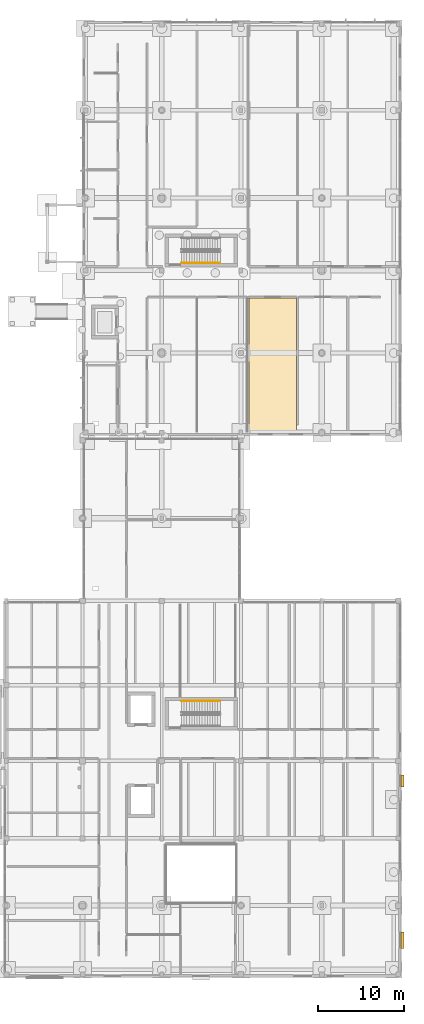
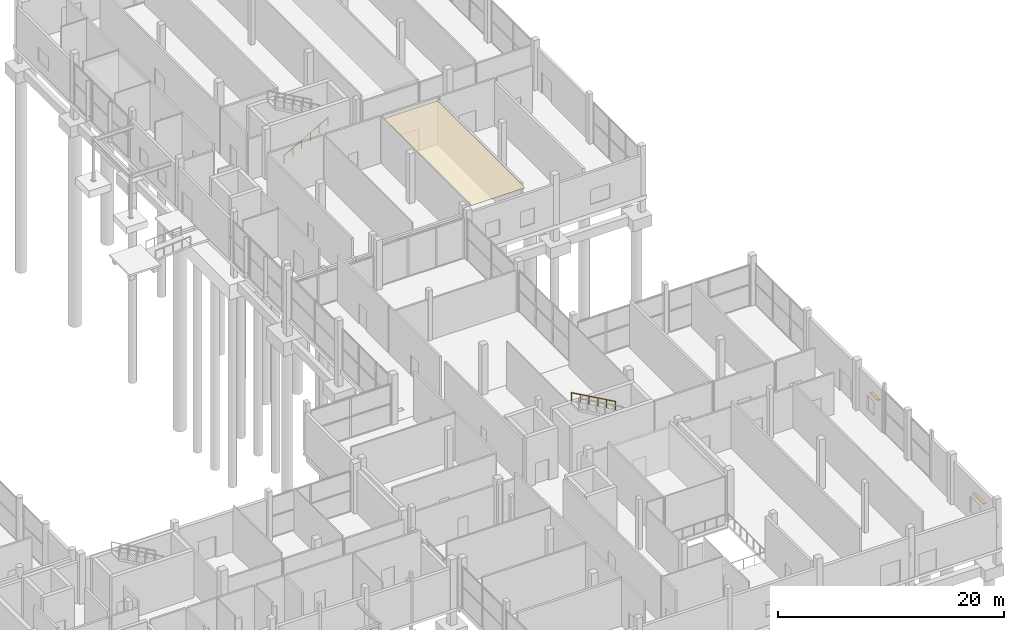
# One storey, part 86 of 88: 2 railings, 2 shading devices, 1 covering.
"""IFC4 building model written with IfcOpenShell, lengths in metres."""

import ifcopenshell
import ifcopenshell.guid

model = None  # the IFC model being written
_history = None  # IfcOwnerHistory: only IFC2X3 demands one
_inside = {}  # id of a spatial element -> (the spatial element, [elements in it])
_under = {}  # id of a project, library or spatial element -> (it, [spatial elements below it])
_declared = {}  # id of a project -> (the project, [libraries it declares])
_typed = {}  # id of a type object -> (the type object, [elements of that type])
_made_of = {}  # id of a material, layer set ... -> (it, [elements and type objects made of it])


def new_model(schema):
    """Start an empty IFC model of exactly this schema.

    Asked for "IFC4X3", IfcOpenShell would pick the latest addendum, in which some entities
    have other attributes; the version numbers below select the first issue.
    IFC2X3 requires an IfcOwnerHistory on every rooted entity: one is made here for all.
    """
    global model, _history
    if schema == "IFC4X3":
        model = ifcopenshell.file(schema_version=(4, 3, 0, 0))
    else:
        model = ifcopenshell.file(schema=schema)
    _inside.clear()
    _under.clear()
    _declared.clear()
    _typed.clear()
    _made_of.clear()
    _history = None
    if model.schema == "IFC2X3":
        org = make("IfcOrganization", Name="unknown")
        user = make(
            "IfcPersonAndOrganization",
            ThePerson=make("IfcPerson", FamilyName="unknown"),
            TheOrganization=org,
        )
        app = make(
            "IfcApplication",
            ApplicationDeveloper=org,
            Version="unknown",
            ApplicationFullName="unknown",
            ApplicationIdentifier="unknown",
        )
        _history = make(
            "IfcOwnerHistory",
            OwningUser=user,
            OwningApplication=app,
            ChangeAction="ADDED",
            CreationDate=0,
        )
    return model


def make(cls, **values):
    """One entity of the class cls with the attributes given. An attribute that is None is left unset."""
    return model.create_entity(
        cls, **{name: value for name, value in values.items() if value is not None}
    )


def rooted(cls, **values):
    """An entity with a GlobalId (a new one), such as an element, a storey or a relation."""
    return make(cls, GlobalId=ifcopenshell.guid.new(), OwnerHistory=_history, **values)


def si_unit(unit_type, name, prefix=None):
    """IfcSIUnit, for example si_unit("LENGTHUNIT", "METRE", prefix="MILLI")."""
    return make("IfcSIUnit", UnitType=unit_type, Prefix=prefix, Name=name)


def assignment(units):
    """IfcUnitAssignment: the units of a project."""
    return None if units is None else make("IfcUnitAssignment", Units=units)


def point(xyz):
    """IfcCartesianPoint."""
    return None if xyz is None else make("IfcCartesianPoint", Coordinates=xyz)


def direction(xyz):
    """IfcDirection."""
    return None if xyz is None else make("IfcDirection", DirectionRatios=xyz)


def frame(location, z_axis=None, x_axis=None):
    """IfcAxis2Placement3D, a coordinate frame: its origin and axes. An axis left out is left unset."""
    return make(
        "IfcAxis2Placement3D",
        Location=point(location),
        Axis=direction(z_axis),
        RefDirection=direction(x_axis),
    )


def frame_2d(location, x_axis=None):
    """IfcAxis2Placement2D, a coordinate frame in the plane: its origin and x axis."""
    return make(
        "IfcAxis2Placement2D", Location=point(location), RefDirection=direction(x_axis)
    )


def origin():
    """The frame at (0, 0, 0) with its axes left unset."""
    return frame((0.0, 0.0, 0.0))


def origin_2d():
    """The frame at (0, 0) in the plane with its x axis left unset."""
    return frame_2d((0.0, 0.0))


def place(relative_to, where):
    """IfcLocalPlacement: puts the frame where relative to a parent placement (None: the world)."""
    return make(
        "IfcLocalPlacement", PlacementRelTo=relative_to, RelativePlacement=where
    )


def context(
    kind, dimensions, precision=None, world=None, true_north=None, identifier=None
):
    """IfcGeometricRepresentationContext, for example the 3D "Model" context."""
    return make(
        "IfcGeometricRepresentationContext",
        ContextIdentifier=identifier,
        ContextType=kind,
        CoordinateSpaceDimension=dimensions,
        Precision=precision,
        WorldCoordinateSystem=world,
        TrueNorth=true_north,
    )


def subcontext(parent, identifier, kind, view, scale=None):
    """IfcGeometricRepresentationSubContext, for example "Body" below "Model"."""
    return make(
        "IfcGeometricRepresentationSubContext",
        ContextIdentifier=identifier,
        ContextType=kind,
        ParentContext=parent,
        TargetScale=scale,
        TargetView=view,
    )


def project(units=None, contexts=None):
    """IfcProject with its units and contexts."""
    return rooted(
        "IfcProject",
        Name="project",
        RepresentationContexts=contexts,
        UnitsInContext=assignment(units),
    )


def spatial(cls, under=None, at=None, **own):
    """A site, building, storey or space (cls), placed at a placement, below another one or the project."""
    s = rooted(cls, ObjectPlacement=at, **own)
    if under is not None:
        _under.setdefault(under.id(), (under, []))[1].append(s)
    return s


def polyline(points):
    """IfcPolyline through the points."""
    return make("IfcPolyline", Points=[point(p) for p in points])


def profile(cls, at=None, kind="AREA", **sizes):
    """A parametric profile (cls). Its sizes go by their IFC names, for example OverallWidth=200.0."""
    return make(cls, ProfileType=kind, Position=at, **sizes)


def rectangle(**sizes):
    """IfcRectangleProfileDef."""
    return profile("IfcRectangleProfileDef", **sizes)


def circle(**sizes):
    """IfcCircleProfileDef."""
    return profile("IfcCircleProfileDef", **sizes)


def outline(outer, holes=None, kind="AREA"):
    """IfcArbitraryClosedProfileDef: a profile drawn as a closed curve; with holes, ...WithVoids."""
    if holes is None:
        return make("IfcArbitraryClosedProfileDef", ProfileType=kind, OuterCurve=outer)
    return make(
        "IfcArbitraryProfileDefWithVoids",
        ProfileType=kind,
        OuterCurve=outer,
        InnerCurves=holes,
    )


def extrude(swept, where, along, depth):
    """IfcExtrudedAreaSolid: the profile swept, set in the frame where, extruded along a direction by depth."""
    return make(
        "IfcExtrudedAreaSolid",
        SweptArea=swept,
        Position=where,
        ExtrudedDirection=direction(along),
        Depth=depth,
    )


def shape(context_of_items, identifier, shape_type, items):
    """IfcShapeRepresentation: the items that make up one representation, for example the "Body"."""
    return make(
        "IfcShapeRepresentation",
        ContextOfItems=context_of_items,
        RepresentationIdentifier=identifier,
        RepresentationType=shape_type,
        Items=items,
    )


def material(Name=None, Category=None):
    """IfcMaterial."""
    return make("IfcMaterial", Name=Name, Category=Category)


def layer(
    of_material, thickness, ventilated=None, Name=None, Category=None, Priority=None
):
    """IfcMaterialLayer: one layer of a wall or slab, of a material (None: an air gap)."""
    return make(
        "IfcMaterialLayer",
        Material=of_material,
        LayerThickness=thickness,
        IsVentilated=ventilated,
        Name=Name,
        Category=Category,
        Priority=Priority,
    )


def layer_set(layers, Name=None):
    """IfcMaterialLayerSet."""
    return make("IfcMaterialLayerSet", MaterialLayers=layers, LayerSetName=Name)


def made_of(thing, what):
    """Note that an element or type object is made of a material, layer set ...; save() writes the relation."""
    if what is not None:
        _made_of.setdefault(what.id(), (what, []))[1].append(thing)
    return thing


def type_object(cls, material=None, **own):
    """A type object (cls), such as IfcWallType, which elements share."""
    return made_of(rooted(cls, **own), material)


def element(
    cls,
    number,
    at=None,
    inside=None,
    cuts=None,
    type_object=None,
    material=None,
    context=None,
    identifier="Body",
    shape_type=None,
    held_by="IfcProductDefinitionShape",
    body=None,
    shapes=None,
    **own,
):
    """One element of the class cls, such as IfcWall. Its Tag is "e" and its number.

    at: its placement. inside: the storey or other place that contains it. cuts: it is an
    opening in that element (IfcRelVoidsElement). A single representation is given by context,
    identifier, shape_type and body (its items); several are given by shapes. held_by: the class
    of the entity that holds the representations. save() writes the other relations.
    """
    e = rooted(cls, Tag="e%d" % number, ObjectPlacement=at, **own)
    if body is not None:
        shapes = [shape(context, identifier, shape_type, body)]
    if shapes is not None:
        e.Representation = make(held_by, Representations=shapes)
    if inside is not None:
        _inside.setdefault(inside.id(), (inside, []))[1].append(e)
    if cuts is not None:
        rooted(
            "IfcRelVoidsElement", RelatingBuildingElement=cuts, RelatedOpeningElement=e
        )
    if type_object is not None:
        _typed.setdefault(type_object.id(), (type_object, []))[1].append(e)
    return made_of(e, material)


def aggregate(whole, parts):
    """IfcRelAggregates: a whole, such as a stair, and the parts it consists of."""
    return rooted("IfcRelAggregates", RelatingObject=whole, RelatedObjects=parts)


def save(model, path):
    """Write the relations noted so far, then the file.

    IfcRelAggregates (storeys below a building ...), IfcRelContainedInSpatialStructure (elements
    in a storey), IfcRelDefinesByType, IfcRelAssociatesMaterial and IfcRelDeclares: one each for
    every whole, place, type object, material and project.
    """
    for whole, parts in _under.values():
        aggregate(whole, parts)
    for where, things in _inside.values():
        rooted(
            "IfcRelContainedInSpatialStructure",
            RelatedElements=things,
            RelatingStructure=where,
        )
    for kind, things in _typed.values():
        rooted("IfcRelDefinesByType", RelatedObjects=things, RelatingType=kind)
    for what, things in _made_of.values():
        rooted("IfcRelAssociatesMaterial", RelatedObjects=things, RelatingMaterial=what)
    for by, libraries in _declared.values():
        rooted("IfcRelDeclares", RelatingContext=by, RelatedDefinitions=libraries)
    model.write(path)


model = new_model("IFC4")

# Units and contexts
model_context = context("Model", 3, precision=1e-05, world=origin(), true_north=direction((0.0, 1.0)))
body_context = subcontext(model_context, "Body", "Model", "MODEL_VIEW")
ifc_project = project(units=[si_unit("LENGTHUNIT", "METRE"), si_unit("AREAUNIT", "SQUARE_METRE"), si_unit("VOLUMEUNIT", "CUBIC_METRE"), si_unit("PLANEANGLEUNIT", "RADIAN"), si_unit("MASSUNIT", "GRAM", prefix="KILO")], contexts=[model_context])

# Site, building, storey
site_placement = place(None, origin())
site = spatial("IfcSite", under=ifc_project, at=site_placement, CompositionType="ELEMENT")
building_placement = place(site_placement, origin())
building = spatial("IfcBuilding", under=site, at=building_placement, Name="Birchvale Park Specialist Clinic", CompositionType="ELEMENT")
storey_placement = place(building_placement, origin())
storey = spatial("IfcBuildingStorey", under=building, at=storey_placement, Name="L00", CompositionType="ELEMENT", Elevation=0.0)

# Covering
ifc_material_1 = material(Name="Acoustic mineral-fibre wood-wool ceiling", Category="wood")
ifc_layer = layer(ifc_material_1, 0.034912109375)
ifc_layer_set = layer_set([ifc_layer], Name="Acoustic mineral-fibre wood-wool ceiling")
covering_type = type_object("IfcCoveringType", Name="COV-CE1", PredefinedType="CEILING", material=ifc_layer_set)
covering_placement = place(storey_placement, frame((0.0, 0.0, 4.715087890625)))
element("IfcCovering", 1, at=covering_placement, inside=storey, type_object=covering_type, Name="V6 L00 acoustic clinical ceiling 2", PredefinedType="CEILING", context=body_context, shape_type="SweptSolid", body=[
    extrude(outline(polyline([(147.3359375, 64.080078125), (152.85400390625, 64.080078125), (152.85400390625, 79.580078125), (147.3359375, 79.580078125), (147.3359375, 64.080078125)])), origin(), (0.0, 0.0, 1.0), 0.034912109375),
])

# Railings
ifc_material_2 = material(Name="Anodised aluminium handrail", Category="aluminium")
railing_type = type_object("IfcRailingType", Name="RL-HND1", PredefinedType="HANDRAIL", material=ifc_material_2)
railing_1_placement = place(storey_placement, frame((139.5, 83.64990234375, 0.168701171875)))
element("IfcRailing", 2, at=railing_1_placement, inside=storey, type_object=railing_type, Name="L00 ST3 stair handrail 1", PredefinedType="HANDRAIL", context=body_context, shape_type="SweptSolid", body=[
    extrude(circle(Radius=0.02392578125, at=origin_2d()), frame((0.0, 0.0, 0.8759765625), z_axis=(0.871575537125, 0.0, 0.490261239633), x_axis=(0.0, 1.0, 0.0)), (0.0, 0.0, 1.0), 5.1630859375),
    extrude(circle(Radius=0.02099609375, at=origin_2d()), origin(), (0.0, 0.0, 1.0), 0.851806640625),
    extrude(circle(Radius=0.02099609375, at=origin_2d()), frame((0.89990234375, 0.0, 0.50634765625)), (0.0, 0.0, 1.0), 0.851806640625),
    extrude(circle(Radius=0.02099609375, at=origin_2d()), frame((1.800048828125, 0.0, 1.012451171875)), (0.0, 0.0, 1.0), 0.851806640625),
    extrude(circle(Radius=0.02099609375, at=origin_2d()), frame((2.699951171875, 0.0, 1.518798828125)), (0.0, 0.0, 1.0), 0.851806640625),
    extrude(circle(Radius=0.02099609375, at=origin_2d()), frame((3.60009765625, 0.0, 2.02490234375)), (0.0, 0.0, 1.0), 0.851806640625),
    extrude(circle(Radius=0.02099609375, at=origin_2d()), frame((4.5, 0.0, 2.53125)), (0.0, 0.0, 1.0), 0.851806640625),
])
railing_2_placement = place(storey_placement, frame((144.0, 32.75, 2.86865234375)))
element("IfcRailing", 3, at=railing_2_placement, inside=storey, type_object=railing_type, Name="L00 ST6 stair handrail 2", PredefinedType="HANDRAIL", context=body_context, shape_type="SweptSolid", body=[
    extrude(circle(Radius=0.02392578125, at=origin_2d()), frame((0.0, 0.0, 0.8759765625), z_axis=(-0.871575537125, 0.0, 0.490261239633), x_axis=(0.0, -1.0, 0.0)), (0.0, 0.0, 1.0), 5.1630859375),
    extrude(circle(Radius=0.02099609375, at=origin_2d()), origin(), (0.0, 0.0, 1.0), 0.851806640625),
    extrude(circle(Radius=0.02099609375, at=origin_2d()), frame((-0.89990234375, 0.0, 0.50634765625)), (0.0, 0.0, 1.0), 0.851806640625),
    extrude(circle(Radius=0.02099609375, at=origin_2d()), frame((-1.800048828125, 0.0, 1.012451171875)), (0.0, 0.0, 1.0), 0.851806640625),
    extrude(circle(Radius=0.02099609375, at=origin_2d()), frame((-2.699951171875, 0.0, 1.518798828125)), (0.0, 0.0, 1.0), 0.851806640625),
    extrude(circle(Radius=0.02099609375, at=origin_2d()), frame((-3.60009765625, 0.0, 2.02490234375)), (0.0, 0.0, 1.0), 0.851806640625),
    extrude(circle(Radius=0.02099609375, at=origin_2d()), frame((-4.5, 0.0, 2.53125)), (0.0, 0.0, 1.0), 0.851806640625),
])

# Shading devices
ifc_material_3 = material(Name="Nordic larch solar louvre")
shading_device_type = type_object("IfcShadingDeviceType", Name="SHD-LVR1", PredefinedType="JALOUSIE", material=ifc_material_3)
shading_device_1_placement = place(storey_placement, frame((165.18994140625, 4.97509765625, 2.6474609375), z_axis=(0.0, 0.0, 1.0), x_axis=(0.0, 1.0, 0.0)))
element("IfcShadingDevice", 4, at=shading_device_1_placement, inside=storey, type_object=shading_device_type, Name="V5 L00 timber sun louvre 10", PredefinedType="JALOUSIE", context=body_context, shape_type="SweptSolid", body=[
    extrude(rectangle(XDim=1.949951171875, YDim=0.320068359375, at=origin_2d()), origin(), (0.0, 0.0, 1.0), 0.06494140625),
])
shading_device_2_placement = place(storey_placement, frame((165.18994140625, 23.472412109375, 2.49755859375), z_axis=(0.0, 0.0, 1.0), x_axis=(0.0, 1.0, 0.0)))
element("IfcShadingDevice", 5, at=shading_device_2_placement, inside=storey, type_object=shading_device_type, Name="V5 L00 timber sun louvre 11", PredefinedType="JALOUSIE", context=body_context, shape_type="SweptSolid", body=[
    extrude(rectangle(XDim=1.39990234375, YDim=0.320068359375, at=origin_2d()), origin(), (0.0, 0.0, 1.0), 0.06494140625),
])

save(model, "model.ifc")
